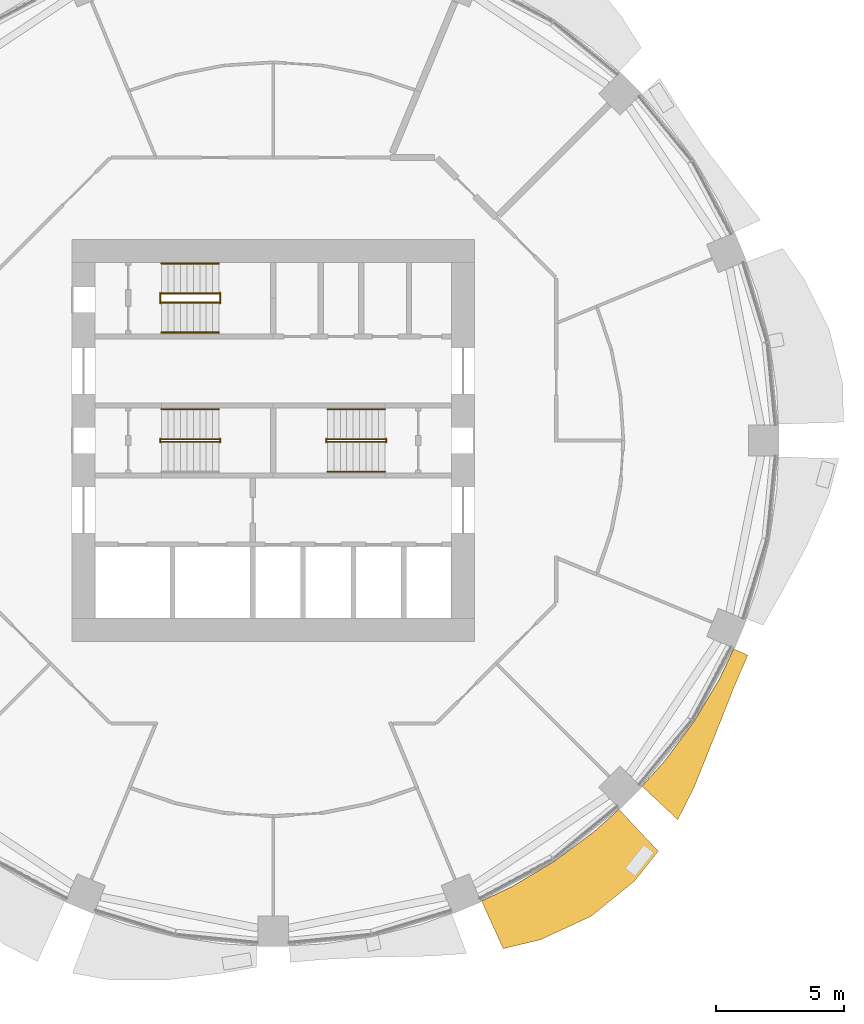
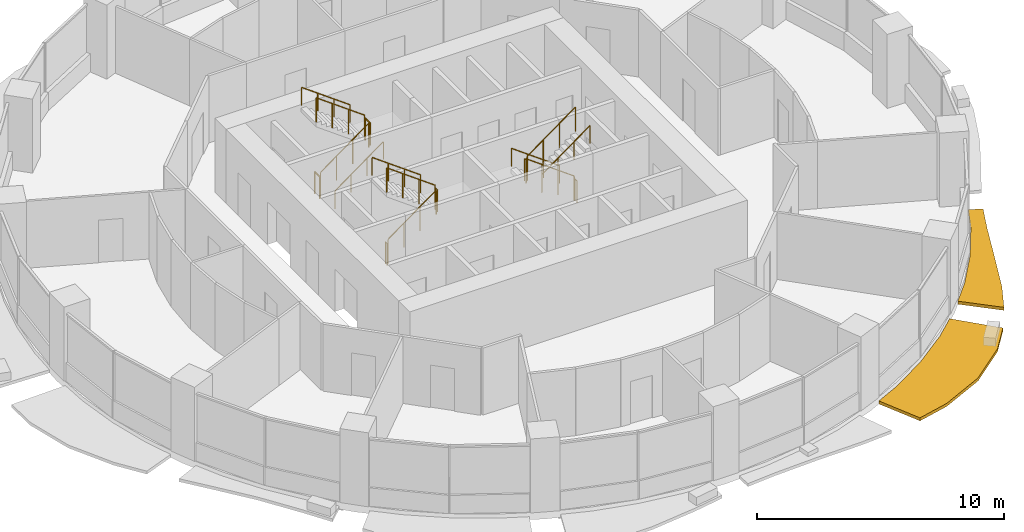
# One storey, part 13 of 15: 17 railings, 2 shading devices.
"""IFC4 building model written with IfcOpenShell, lengths in metres."""

from ifc_helpers import new_model, si_unit, direction, frame, origin, origin_2d, place, context, subcontext, project, spatial, polyline, circle, outline, extrude, material, type_object, element, save


model = new_model("IFC4")

# Units and contexts
model_context = context("Model", 3, precision=1e-05, world=origin(), true_north=direction((0.0, 1.0)))
body_context = subcontext(model_context, "Body", "Model", "MODEL_VIEW")
ifc_project = project(units=[si_unit("LENGTHUNIT", "METRE"), si_unit("AREAUNIT", "SQUARE_METRE"), si_unit("VOLUMEUNIT", "CUBIC_METRE"), si_unit("PLANEANGLEUNIT", "RADIAN"), si_unit("MASSUNIT", "GRAM", prefix="KILO")], contexts=[model_context])

# Site, building, storey
site_placement = place(None, origin())
site = spatial("IfcSite", under=ifc_project, at=site_placement, CompositionType="ELEMENT")
building_placement = place(site_placement, origin())
building = spatial("IfcBuilding", under=site, at=building_placement, Name="Polderwave Tower", CompositionType="ELEMENT")
storey_placement = place(building_placement, frame((0.0, 0.0, 26.199951171875)))
storey = spatial("IfcBuildingStorey", under=building, at=storey_placement, Name="L06", CompositionType="ELEMENT", Elevation=26.199951171875)

# Railings
ifc_material_1 = material(Name="Stainless steel", Category="steel")
railing_type_1 = type_object("IfcRailingType", Name="Stair guard 1100", PredefinedType="GUARDRAIL", material=ifc_material_1)
railing_1_placement = place(storey_placement, frame((-4.3740234375, -0.051025390625, 0.0625)))
element("IfcRailing", 1, at=railing_1_placement, inside=storey, type_object=railing_type_1, Name="L06 ST-A stair guard 1", PredefinedType="GUARDRAIL", context=body_context, shape_type="SweptSolid", body=[
    extrude(circle(Radius=0.02392578125, at=origin_2d()), frame((0.0, 0.0, 1.1962890625), z_axis=(0.807715371301, 0.0, 0.589572623995), x_axis=(0.0, 1.0, 0.0)), (0.0, 0.0, 1.0), 2.78564453125),
    extrude(circle(Radius=0.02392578125, at=origin_2d()), origin(), (0.0, 0.0, 1.0), 1.172119140625),
    extrude(circle(Radius=0.02392578125, at=origin_2d()), frame((0.75, 0.0, 0.54736328125)), (0.0, 0.0, 1.0), 1.172119140625),
    extrude(circle(Radius=0.02392578125, at=origin_2d()), frame((1.5, 0.0, 1.094970703125)), (0.0, 0.0, 1.0), 1.172119140625),
    extrude(circle(Radius=0.02392578125, at=origin_2d()), frame((2.25, 0.0, 1.642333984375)), (0.0, 0.0, 1.0), 1.172119140625),
])
railing_2_placement = place(storey_placement, frame((-2.073974609375, -0.074951171875, 1.824951171875)))
element("IfcRailing", 2, at=railing_2_placement, inside=storey, type_object=railing_type_1, Name="L06 ST-A stair guard 2", PredefinedType="GUARDRAIL", context=body_context, shape_type="SweptSolid", body=[
    extrude(circle(Radius=0.02392578125, at=origin_2d()), frame((0.0, 0.0, 1.076171875), z_axis=(0.0, 1.0, 0.0), x_axis=(-1.0, 0.0, 0.0)), (0.0, 0.0, 1.0), 0.14990234375),
    extrude(circle(Radius=0.02099609375, at=origin_2d()), origin(), (0.0, 0.0, 1.0), 1.052001953125),
    extrude(circle(Radius=0.02099609375, at=origin_2d()), frame((0.0, 0.14990234375, 0.0)), (0.0, 0.0, 1.0), 1.052001953125),
])
railing_3_placement = place(storey_placement, frame((-2.1240234375, 0.051025390625, 1.887451171875)))
element("IfcRailing", 3, at=railing_3_placement, inside=storey, type_object=railing_type_1, Name="L06 ST-A stair guard 3", PredefinedType="GUARDRAIL", context=body_context, shape_type="SweptSolid", body=[
    extrude(circle(Radius=0.02392578125, at=origin_2d()), frame((0.0, 0.0, 1.1962890625), z_axis=(-0.807673635365, 0.0, 0.58962979804), x_axis=(0.0, -1.0, 0.0)), (0.0, 0.0, 1.0), 2.785888671875),
    extrude(circle(Radius=0.02392578125, at=origin_2d()), origin(), (0.0, 0.0, 1.0), 1.172119140625),
    extrude(circle(Radius=0.02392578125, at=origin_2d()), frame((-0.75, 0.0, 0.547607421875)), (0.0, 0.0, 1.0), 1.172119140625),
    extrude(circle(Radius=0.02392578125, at=origin_2d()), frame((-1.5, 0.0, 1.094970703125)), (0.0, 0.0, 1.0), 1.172119140625),
    extrude(circle(Radius=0.02392578125, at=origin_2d()), frame((-2.25, 0.0, 1.642578125)), (0.0, 0.0, 1.0), 1.172119140625),
])
railing_4_placement = place(storey_placement, frame((-4.424072265625, -0.074951171875, 0.0)))
element("IfcRailing", 4, at=railing_4_placement, inside=storey, type_object=railing_type_1, Name="L06 ST-A stair guard 4", PredefinedType="GUARDRAIL", context=body_context, shape_type="SweptSolid", body=[
    extrude(circle(Radius=0.02392578125, at=origin_2d()), frame((0.0, 0.0, 1.076171875), z_axis=(0.0, 1.0, 0.0), x_axis=(-1.0, 0.0, 0.0)), (0.0, 0.0, 1.0), 0.14990234375),
    extrude(circle(Radius=0.02099609375, at=origin_2d()), origin(), (0.0, 0.0, 1.0), 1.052001953125),
    extrude(circle(Radius=0.02099609375, at=origin_2d()), frame((0.0, 0.14990234375, 0.0)), (0.0, 0.0, 1.0), 1.052001953125),
])
railing_5_placement = place(storey_placement, frame((4.3740234375, 0.051025390625, 0.0625)))
element("IfcRailing", 5, at=railing_5_placement, inside=storey, type_object=railing_type_1, Name="L06 ST-B stair guard 1", PredefinedType="GUARDRAIL", context=body_context, shape_type="SweptSolid", body=[
    extrude(circle(Radius=0.02392578125, at=origin_2d()), frame((0.0, 0.0, 1.1962890625), z_axis=(-0.807715371301, 0.0, 0.589572623995), x_axis=(0.0, -1.0, 0.0)), (0.0, 0.0, 1.0), 2.78564453125),
    extrude(circle(Radius=0.02392578125, at=origin_2d()), origin(), (0.0, 0.0, 1.0), 1.172119140625),
    extrude(circle(Radius=0.02392578125, at=origin_2d()), frame((-0.75, 0.0, 0.54736328125)), (0.0, 0.0, 1.0), 1.172119140625),
    extrude(circle(Radius=0.02392578125, at=origin_2d()), frame((-1.5, 0.0, 1.094970703125)), (0.0, 0.0, 1.0), 1.172119140625),
    extrude(circle(Radius=0.02392578125, at=origin_2d()), frame((-2.25, 0.0, 1.642333984375)), (0.0, 0.0, 1.0), 1.172119140625),
])
railing_6_placement = place(storey_placement, frame((2.073974609375, 0.074951171875, 1.824951171875)))
element("IfcRailing", 6, at=railing_6_placement, inside=storey, type_object=railing_type_1, Name="L06 ST-B stair guard 2", PredefinedType="GUARDRAIL", context=body_context, shape_type="SweptSolid", body=[
    extrude(circle(Radius=0.02392578125, at=origin_2d()), frame((0.0, 0.0, 1.076171875), z_axis=(0.0, -1.0, 0.0), x_axis=(1.0, 0.0, 0.0)), (0.0, 0.0, 1.0), 0.14990234375),
    extrude(circle(Radius=0.02099609375, at=origin_2d()), origin(), (0.0, 0.0, 1.0), 1.052001953125),
    extrude(circle(Radius=0.02099609375, at=origin_2d()), frame((0.0, -0.14990234375, 0.0)), (0.0, 0.0, 1.0), 1.052001953125),
])
railing_7_placement = place(storey_placement, frame((2.1240234375, -0.051025390625, 1.887451171875)))
element("IfcRailing", 7, at=railing_7_placement, inside=storey, type_object=railing_type_1, Name="L06 ST-B stair guard 3", PredefinedType="GUARDRAIL", context=body_context, shape_type="SweptSolid", body=[
    extrude(circle(Radius=0.02392578125, at=origin_2d()), frame((0.0, 0.0, 1.1962890625), z_axis=(0.807673635365, 0.0, 0.58962979804), x_axis=(0.0, 1.0, 0.0)), (0.0, 0.0, 1.0), 2.785888671875),
    extrude(circle(Radius=0.02392578125, at=origin_2d()), origin(), (0.0, 0.0, 1.0), 1.172119140625),
    extrude(circle(Radius=0.02392578125, at=origin_2d()), frame((0.75, 0.0, 0.547607421875)), (0.0, 0.0, 1.0), 1.172119140625),
    extrude(circle(Radius=0.02392578125, at=origin_2d()), frame((1.5, 0.0, 1.094970703125)), (0.0, 0.0, 1.0), 1.172119140625),
    extrude(circle(Radius=0.02392578125, at=origin_2d()), frame((2.25, 0.0, 1.642578125)), (0.0, 0.0, 1.0), 1.172119140625),
])
railing_8_placement = place(storey_placement, frame((4.424072265625, 0.074951171875, 0.0)))
element("IfcRailing", 8, at=railing_8_placement, inside=storey, type_object=railing_type_1, Name="L06 ST-B stair guard 4", PredefinedType="GUARDRAIL", context=body_context, shape_type="SweptSolid", body=[
    extrude(circle(Radius=0.02392578125, at=origin_2d()), frame((0.0, 0.0, 1.076171875), z_axis=(0.0, -1.0, 0.0), x_axis=(1.0, 0.0, 0.0)), (0.0, 0.0, 1.0), 0.14990234375),
    extrude(circle(Radius=0.02099609375, at=origin_2d()), origin(), (0.0, 0.0, 1.0), 1.052001953125),
    extrude(circle(Radius=0.02099609375, at=origin_2d()), frame((0.0, -0.14990234375, 0.0)), (0.0, 0.0, 1.0), 1.052001953125),
])
railing_9_placement = place(storey_placement, frame((-4.3740234375, 5.39794921875, 0.0625)))
element("IfcRailing", 9, at=railing_9_placement, inside=storey, type_object=railing_type_1, Name="L06 ST-C stair guard 1", PredefinedType="GUARDRAIL", context=body_context, shape_type="SweptSolid", body=[
    extrude(circle(Radius=0.02392578125, at=origin_2d()), frame((0.0, 0.0, 1.1962890625), z_axis=(0.807715371301, 0.0, 0.589572623995), x_axis=(0.0, 1.0, 0.0)), (0.0, 0.0, 1.0), 2.78564453125),
    extrude(circle(Radius=0.02392578125, at=origin_2d()), origin(), (0.0, 0.0, 1.0), 1.172119140625),
    extrude(circle(Radius=0.02392578125, at=origin_2d()), frame((0.75, 0.0, 0.54736328125)), (0.0, 0.0, 1.0), 1.172119140625),
    extrude(circle(Radius=0.02392578125, at=origin_2d()), frame((1.5, 0.0, 1.094970703125)), (0.0, 0.0, 1.0), 1.172119140625),
    extrude(circle(Radius=0.02392578125, at=origin_2d()), frame((2.25, 0.0, 1.642333984375)), (0.0, 0.0, 1.0), 1.172119140625),
])
railing_10_placement = place(storey_placement, frame((-2.073974609375, 5.3740234375, 1.824951171875)))
element("IfcRailing", 10, at=railing_10_placement, inside=storey, type_object=railing_type_1, Name="L06 ST-C stair guard 2", PredefinedType="GUARDRAIL", context=body_context, shape_type="SweptSolid", body=[
    extrude(circle(Radius=0.02392578125, at=origin_2d()), frame((0.0, 0.0, 1.076171875), z_axis=(0.0, 1.0, 0.0), x_axis=(-1.0, 0.0, 0.0)), (0.0, 0.0, 1.0), 0.39990234375),
    extrude(circle(Radius=0.02099609375, at=origin_2d()), origin(), (0.0, 0.0, 1.0), 1.052001953125),
    extrude(circle(Radius=0.02099609375, at=origin_2d()), frame((0.0, 0.39990234375, 0.0)), (0.0, 0.0, 1.0), 1.052001953125),
])
railing_11_placement = place(storey_placement, frame((-2.1240234375, 5.75, 1.887451171875)))
element("IfcRailing", 11, at=railing_11_placement, inside=storey, type_object=railing_type_1, Name="L06 ST-C stair guard 3", PredefinedType="GUARDRAIL", context=body_context, shape_type="SweptSolid", body=[
    extrude(circle(Radius=0.02392578125, at=origin_2d()), frame((0.0, 0.0, 1.1962890625), z_axis=(-0.807673635365, 0.0, 0.58962979804), x_axis=(0.0, -1.0, 0.0)), (0.0, 0.0, 1.0), 2.785888671875),
    extrude(circle(Radius=0.02392578125, at=origin_2d()), origin(), (0.0, 0.0, 1.0), 1.172119140625),
    extrude(circle(Radius=0.02392578125, at=origin_2d()), frame((-0.75, 0.0, 0.547607421875)), (0.0, 0.0, 1.0), 1.172119140625),
    extrude(circle(Radius=0.02392578125, at=origin_2d()), frame((-1.5, 0.0, 1.094970703125)), (0.0, 0.0, 1.0), 1.172119140625),
    extrude(circle(Radius=0.02392578125, at=origin_2d()), frame((-2.25, 0.0, 1.642578125)), (0.0, 0.0, 1.0), 1.172119140625),
])
railing_12_placement = place(storey_placement, frame((-4.424072265625, 5.3740234375, 0.0)))
element("IfcRailing", 12, at=railing_12_placement, inside=storey, type_object=railing_type_1, Name="L06 ST-C stair guard 4", PredefinedType="GUARDRAIL", context=body_context, shape_type="SweptSolid", body=[
    extrude(circle(Radius=0.02392578125, at=origin_2d()), frame((0.0, 0.0, 1.076171875), z_axis=(0.0, 1.0, 0.0), x_axis=(-1.0, 0.0, 0.0)), (0.0, 0.0, 1.0), 0.39990234375),
    extrude(circle(Radius=0.02099609375, at=origin_2d()), origin(), (0.0, 0.0, 1.0), 1.052001953125),
    extrude(circle(Radius=0.02099609375, at=origin_2d()), frame((0.0, 0.39990234375, 0.0)), (0.0, 0.0, 1.0), 1.052001953125),
])
railing_type_2 = type_object("IfcRailingType", Name="Stair handrail 900", PredefinedType="HANDRAIL", material=ifc_material_1)
railing_13_placement = place(storey_placement, frame((-2.1240234375, 1.22509765625, 2.007568359375)))
element("IfcRailing", 13, at=railing_13_placement, inside=storey, type_object=railing_type_2, Name="L06 ST-A stair handrail 2", PredefinedType="HANDRAIL", context=body_context, shape_type="SweptSolid", body=[
    extrude(circle(Radius=0.02392578125, at=origin_2d()), frame((0.0, 0.0, 0.8759765625), z_axis=(-0.807673635365, 0.0, 0.58962979804), x_axis=(0.0, -1.0, 0.0)), (0.0, 0.0, 1.0), 2.785888671875),
    extrude(circle(Radius=0.02099609375, at=origin_2d()), origin(), (0.0, 0.0, 1.0), 0.851806640625),
    extrude(circle(Radius=0.02099609375, at=origin_2d()), frame((-0.75, 0.0, 0.547607421875)), (0.0, 0.0, 1.0), 0.851806640625),
    extrude(circle(Radius=0.02099609375, at=origin_2d()), frame((-1.5, 0.0, 1.094970703125)), (0.0, 0.0, 1.0), 0.851806640625),
    extrude(circle(Radius=0.02099609375, at=origin_2d()), frame((-2.25, 0.0, 1.642578125)), (0.0, 0.0, 1.0), 0.851806640625),
])
railing_14_placement = place(storey_placement, frame((4.3740234375, 1.22509765625, 0.1826171875)))
element("IfcRailing", 14, at=railing_14_placement, inside=storey, type_object=railing_type_2, Name="L06 ST-B stair handrail 1", PredefinedType="HANDRAIL", context=body_context, shape_type="SweptSolid", body=[
    extrude(circle(Radius=0.02392578125, at=origin_2d()), frame((0.0, 0.0, 0.8759765625), z_axis=(-0.807715371301, 0.0, 0.589572623995), x_axis=(0.0, -1.0, 0.0)), (0.0, 0.0, 1.0), 2.78564453125),
    extrude(circle(Radius=0.02099609375, at=origin_2d()), origin(), (0.0, 0.0, 1.0), 0.851806640625),
    extrude(circle(Radius=0.02099609375, at=origin_2d()), frame((-0.75, 0.0, 0.54736328125)), (0.0, 0.0, 1.0), 0.851806640625),
    extrude(circle(Radius=0.02099609375, at=origin_2d()), frame((-1.5, 0.0, 1.094970703125)), (0.0, 0.0, 1.0), 0.851806640625),
    extrude(circle(Radius=0.02099609375, at=origin_2d()), frame((-2.25, 0.0, 1.642333984375)), (0.0, 0.0, 1.0), 0.851806640625),
])
railing_15_placement = place(storey_placement, frame((2.1240234375, -1.22509765625, 2.007568359375)))
element("IfcRailing", 15, at=railing_15_placement, inside=storey, type_object=railing_type_2, Name="L06 ST-B stair handrail 2", PredefinedType="HANDRAIL", context=body_context, shape_type="SweptSolid", body=[
    extrude(circle(Radius=0.02392578125, at=origin_2d()), frame((0.0, 0.0, 0.8759765625), z_axis=(0.807673635365, 0.0, 0.58962979804), x_axis=(0.0, 1.0, 0.0)), (0.0, 0.0, 1.0), 2.785888671875),
    extrude(circle(Radius=0.02099609375, at=origin_2d()), origin(), (0.0, 0.0, 1.0), 0.851806640625),
    extrude(circle(Radius=0.02099609375, at=origin_2d()), frame((0.75, 0.0, 0.547607421875)), (0.0, 0.0, 1.0), 0.851806640625),
    extrude(circle(Radius=0.02099609375, at=origin_2d()), frame((1.5, 0.0, 1.094970703125)), (0.0, 0.0, 1.0), 0.851806640625),
    extrude(circle(Radius=0.02099609375, at=origin_2d()), frame((2.25, 0.0, 1.642578125)), (0.0, 0.0, 1.0), 0.851806640625),
])
railing_16_placement = place(storey_placement, frame((-4.3740234375, 4.22412109375, 0.1826171875)))
element("IfcRailing", 16, at=railing_16_placement, inside=storey, type_object=railing_type_2, Name="L06 ST-C stair handrail 1", PredefinedType="HANDRAIL", context=body_context, shape_type="SweptSolid", body=[
    extrude(circle(Radius=0.02392578125, at=origin_2d()), frame((0.0, 0.0, 0.8759765625), z_axis=(0.807715371301, 0.0, 0.589572623995), x_axis=(0.0, 1.0, 0.0)), (0.0, 0.0, 1.0), 2.78564453125),
    extrude(circle(Radius=0.02099609375, at=origin_2d()), origin(), (0.0, 0.0, 1.0), 0.851806640625),
    extrude(circle(Radius=0.02099609375, at=origin_2d()), frame((0.75, 0.0, 0.54736328125)), (0.0, 0.0, 1.0), 0.851806640625),
    extrude(circle(Radius=0.02099609375, at=origin_2d()), frame((1.5, 0.0, 1.094970703125)), (0.0, 0.0, 1.0), 0.851806640625),
    extrude(circle(Radius=0.02099609375, at=origin_2d()), frame((2.25, 0.0, 1.642333984375)), (0.0, 0.0, 1.0), 0.851806640625),
])
railing_17_placement = place(storey_placement, frame((-2.1240234375, 6.924072265625, 2.007568359375)))
element("IfcRailing", 17, at=railing_17_placement, inside=storey, type_object=railing_type_2, Name="L06 ST-C stair handrail 2", PredefinedType="HANDRAIL", context=body_context, shape_type="SweptSolid", body=[
    extrude(circle(Radius=0.02392578125, at=origin_2d()), frame((0.0, 0.0, 0.8759765625), z_axis=(-0.807673635365, 0.0, 0.58962979804), x_axis=(0.0, -1.0, 0.0)), (0.0, 0.0, 1.0), 2.785888671875),
    extrude(circle(Radius=0.02099609375, at=origin_2d()), origin(), (0.0, 0.0, 1.0), 0.851806640625),
    extrude(circle(Radius=0.02099609375, at=origin_2d()), frame((-0.75, 0.0, 0.547607421875)), (0.0, 0.0, 1.0), 0.851806640625),
    extrude(circle(Radius=0.02099609375, at=origin_2d()), frame((-1.5, 0.0, 1.094970703125)), (0.0, 0.0, 1.0), 0.851806640625),
    extrude(circle(Radius=0.02099609375, at=origin_2d()), frame((-2.25, 0.0, 1.642578125)), (0.0, 0.0, 1.0), 0.851806640625),
])

# Shading devices
ifc_material_2 = material(Name="Terracotta", Category="masonry")
shading_device_type = type_object("IfcShadingDeviceType", Name="Terracotta sunshade band", PredefinedType="USERDEFINED", material=ifc_material_2)
shading_device_1_placement = place(storey_placement, frame((0.0, 0.0, -0.349853515625)))
element("IfcShadingDevice", 18, at=shading_device_1_placement, inside=storey, type_object=shading_device_type, Name="Sunshade band L06 14", ObjectType="SUNSHADE", PredefinedType="USERDEFINED", context=body_context, shape_type="SweptSolid", body=[
    extrude(outline(polyline([(8.154296875, -18.019775390625), (9.333740234375, -17.4619140625), (11.000244140625, -16.463134765625), (12.56103515625, -15.3056640625), (13.527587890625, -14.429443359375), (15.068115234375, -16.072509765625), (14.14306640625, -17.2333984375), (12.4404296875, -18.618408203125), (10.4443359375, -19.5400390625), (8.99755859375, -19.883544921875), (8.154296875, -18.019775390625)])), origin(), (0.0, 0.0, 1.0), 0.14990234375),
])
shading_device_2_placement = place(storey_placement, frame((0.0, 0.0, -0.349853515625)))
element("IfcShadingDevice", 19, at=shading_device_2_placement, inside=storey, type_object=shading_device_type, Name="Sunshade band L06 15", ObjectType="SUNSHADE", PredefinedType="USERDEFINED", context=body_context, shape_type="SweptSolid", body=[
    extrude(outline(polyline([(14.429443359375, -13.527587890625), (15.3056640625, -12.56103515625), (16.463134765625, -11.000244140625), (17.4619140625, -9.333740234375), (18.019775390625, -8.154296875), (18.569091796875, -8.40283203125), (18.0361328125, -9.640380859375), (17.282958984375, -11.548095703125), (16.48681640625, -13.530517578125), (15.82861328125, -14.83935546875), (14.429443359375, -13.527587890625)])), origin(), (0.0, 0.0, 1.0), 0.14990234375),
])

save(model, "model.ifc")
